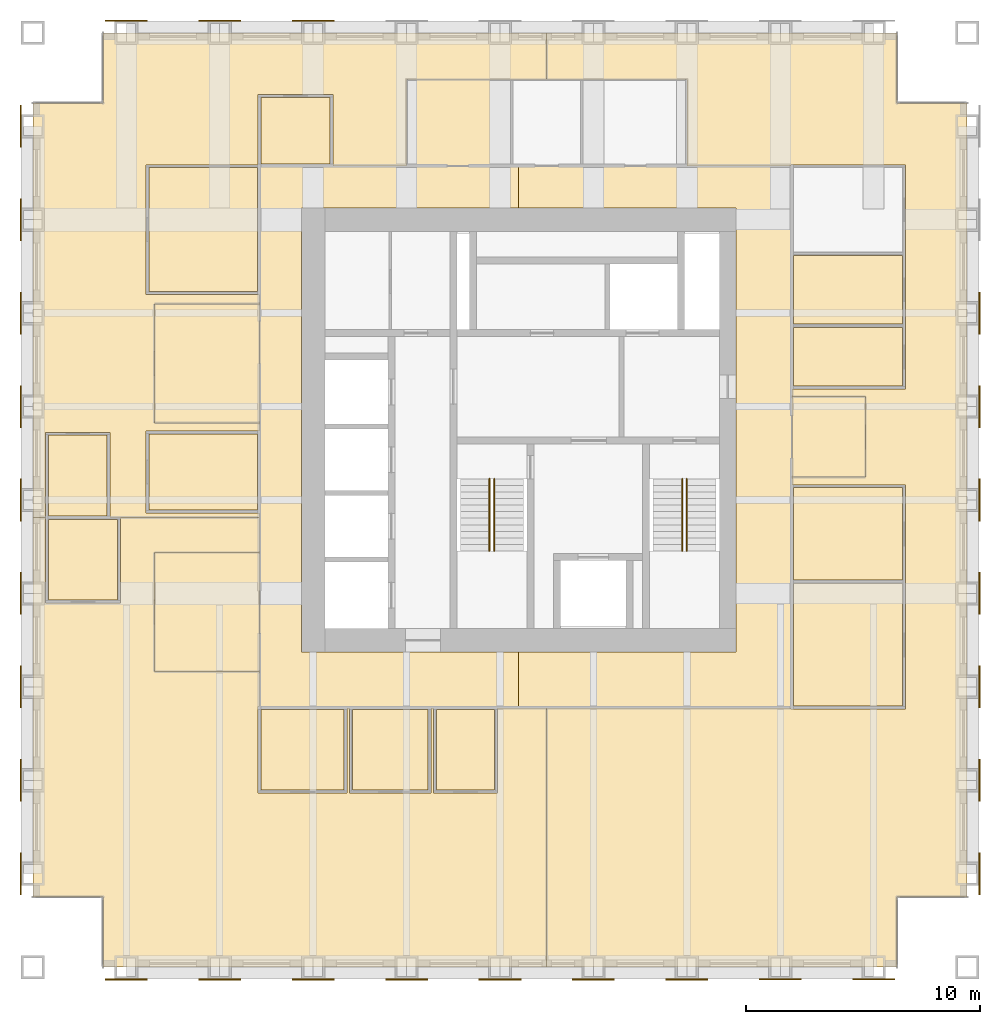
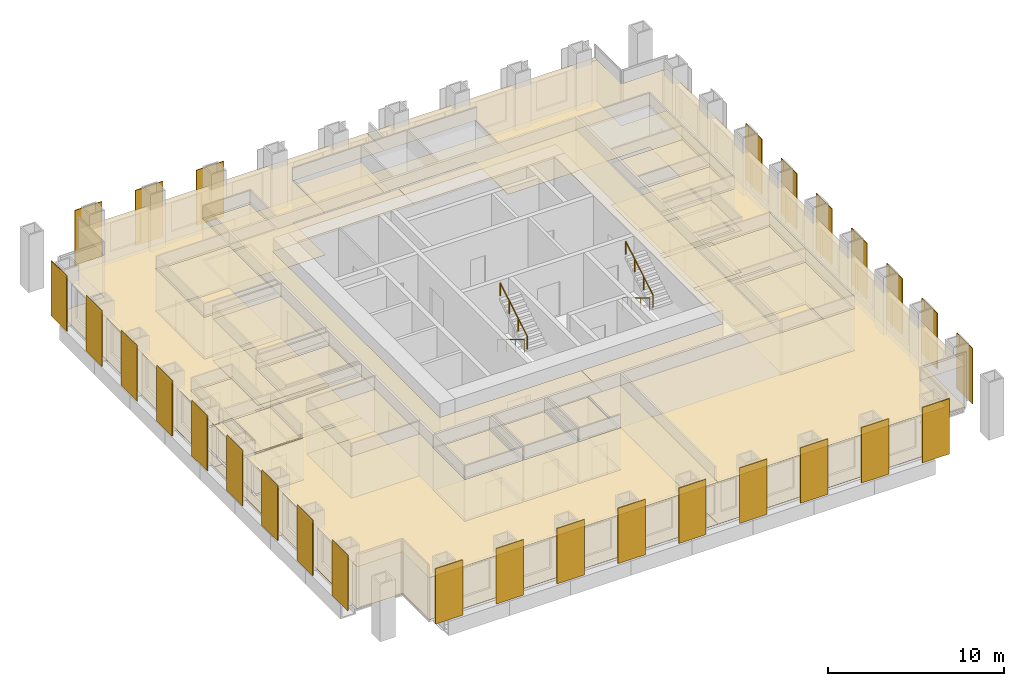
# One storey, part 12 of 13: 39 coverings, 28 shading devices, 4 railings.
"""IFC4 building model written with IfcOpenShell, lengths in metres."""

from ifc_helpers import new_model, si_unit, direction, frame, origin, origin_2d, place, context, subcontext, project, spatial, polyline, rectangle, circle, outline, extrude, material, layer, layer_set, type_object, element, save


model = new_model("IFC4")

# Units and contexts
model_context = context("Model", 3, precision=1e-05, world=origin(), true_north=direction((0.0, 1.0)))
body_context = subcontext(model_context, "Body", "Model", "MODEL_VIEW")
ifc_project = project(units=[si_unit("LENGTHUNIT", "METRE"), si_unit("AREAUNIT", "SQUARE_METRE"), si_unit("VOLUMEUNIT", "CUBIC_METRE"), si_unit("PLANEANGLEUNIT", "RADIAN"), si_unit("MASSUNIT", "GRAM", prefix="KILO")], contexts=[model_context])

# Site, building, storey
site_placement = place(None, origin())
site = spatial("IfcSite", under=ifc_project, at=site_placement, CompositionType="ELEMENT")
building_placement = place(site_placement, origin())
building = spatial("IfcBuilding", under=site, at=building_placement, Name="Rimbunsela Tower", CompositionType="ELEMENT")
storey_placement = place(building_placement, frame((0.0, 0.0, 294.199951171875)))
storey = spatial("IfcBuildingStorey", under=building, at=storey_placement, Name="L71", CompositionType="ELEMENT", Elevation=294.199951171875)

# Coverings
ifc_material_1 = material(Name="Nylon carpet tile", Category="textile")
ifc_layer_1 = layer(ifc_material_1, 0.010009765625)
ifc_layer_set_1 = layer_set([ifc_layer_1], Name="Carpet tile 10")
covering_type_1 = type_object("IfcCoveringType", Name="Carpet tile 10", PredefinedType="FLOORING", material=ifc_layer_set_1)
covering_1_placement = place(storey_placement, origin())
element("IfcCovering", 1, at=covering_1_placement, inside=storey, type_object=covering_type_1, Name="Floor finish Open office", PredefinedType="FLOORING", context=body_context, shape_type="SweptSolid", body=[
    extrude(outline(polyline([(19.449951171875, 15.10009765625), (19.550048828125, 15.10009765625), (19.550048828125, 11.449951171875), (23.050048828125, 11.449951171875), (23.050048828125, 15.10009765625), (23.14990234375, 15.10009765625), (23.14990234375, 11.449951171875), (25.89990234375, 11.449951171875), (25.89990234375, 15.10009765625), (27.9990234375, 15.10009765625), (27.9990234375, 4.0), (15.699951171875, 4.0), (9.0, 4.0), (9.0, 7.0), (6.0, 7.0), (6.0, 23.2490234375), (6.550048828125, 23.2490234375), (6.550048828125, 19.60009765625), (9.75, 19.60009765625), (9.75, 23.2490234375), (15.699951171875, 23.2490234375), (15.699951171875, 21.75), (11.199951171875, 21.75), (11.199951171875, 16.64990234375), (15.699951171875, 16.64990234375), (15.699951171875, 15.14990234375), (15.64990234375, 15.14990234375), (15.64990234375, 11.449951171875), (15.699951171875, 11.449951171875), (19.449951171875, 11.449951171875), (19.449951171875, 15.10009765625)])), origin(), (0.0, 0.0, 1.0), 0.010009765625),
])
covering_2_placement = place(storey_placement, origin())
element("IfcCovering", 2, at=covering_2_placement, inside=storey, type_object=covering_type_1, Name="Floor finish Open office", PredefinedType="FLOORING", context=body_context, shape_type="SweptSolid", body=[
    extrude(outline(polyline([(15.64990234375, 38.35009765625), (10.85009765625, 38.35009765625), (10.85009765625, 32.800048828125), (15.699951171875, 32.800048828125), (15.699951171875, 32.39990234375), (11.199951171875, 32.39990234375), (11.199951171875, 27.300048828125), (15.699951171875, 27.300048828125), (15.699951171875, 26.949951171875), (10.85009765625, 26.949951171875), (10.85009765625, 23.449951171875), (15.699951171875, 23.449951171875), (15.699951171875, 23.2509765625), (9.300048828125, 23.2509765625), (9.300048828125, 26.89990234375), (6.550048828125, 26.89990234375), (6.550048828125, 23.2509765625), (6.0, 23.2509765625), (6.0, 41.0), (9.0, 41.0), (9.0, 44.0), (15.699951171875, 44.0), (27.9990234375, 44.0), (27.9990234375, 42.0), (22.0, 42.0), (22.0, 38.300048828125), (18.85009765625, 38.300048828125), (18.85009765625, 41.35009765625), (15.699951171875, 41.35009765625), (15.64990234375, 41.35009765625), (15.64990234375, 38.35009765625)])), origin(), (0.0, 0.0, 1.0), 0.010009765625),
])
covering_3_placement = place(storey_placement, origin())
element("IfcCovering", 3, at=covering_3_placement, inside=storey, type_object=covering_type_1, Name="Floor finish Open office", PredefinedType="FLOORING", context=body_context, shape_type="SweptSolid", body=[
    extrude(outline(polyline([(28.0009765625, 15.10009765625), (38.449951171875, 15.10009765625), (38.449951171875, 15.050048828125), (38.5, 15.050048828125), (43.35009765625, 15.050048828125), (43.35009765625, 20.449951171875), (43.35009765625, 20.550048828125), (43.35009765625, 24.64990234375), (38.5, 24.64990234375), (38.5, 24.97509765625), (41.64990234375, 24.97509765625), (41.64990234375, 28.425048828125), (38.5, 28.425048828125), (38.5, 28.75), (43.35009765625, 28.75), (43.35009765625, 31.39990234375), (43.35009765625, 31.5), (43.35009765625, 34.5), (43.35009765625, 34.60009765625), (43.35009765625, 38.35009765625), (38.5, 38.35009765625), (38.449951171875, 38.35009765625), (38.449951171875, 38.300048828125), (34.0, 38.300048828125), (34.0, 42.0), (28.0009765625, 42.0), (28.0009765625, 44.0), (38.5, 44.0), (43.0, 44.0), (43.0, 41.0), (46.0, 41.0), (46.0, 7.0), (43.0, 7.0), (43.0, 4.0), (38.5, 4.0), (28.0009765625, 4.0), (28.0009765625, 15.10009765625)])), origin(), (0.0, 0.0, 1.0), 0.010009765625),
])
covering_4_placement = place(storey_placement, origin())
element("IfcCovering", 4, at=covering_4_placement, inside=storey, type_object=covering_type_1, Name="Floor finish Reception", PredefinedType="FLOORING", context=body_context, shape_type="SweptSolid", body=[
    extrude(outline(polyline([(15.699951171875, 16.64990234375), (15.699951171875, 21.75), (11.199951171875, 21.75), (11.199951171875, 16.64990234375), (15.699951171875, 16.64990234375)])), origin(), (0.0, 0.0, 1.0), 0.010009765625),
])
covering_5_placement = place(storey_placement, origin())
element("IfcCovering", 5, at=covering_5_placement, inside=storey, type_object=covering_type_1, Name="Floor finish Reception", PredefinedType="FLOORING", context=body_context, shape_type="SweptSolid", body=[
    extrude(outline(polyline([(15.699951171875, 27.300048828125), (15.699951171875, 32.39990234375), (11.199951171875, 32.39990234375), (11.199951171875, 27.300048828125), (15.699951171875, 27.300048828125)])), origin(), (0.0, 0.0, 1.0), 0.010009765625),
])
covering_6_placement = place(storey_placement, origin())
element("IfcCovering", 6, at=covering_6_placement, inside=storey, type_object=covering_type_1, Name="Floor finish Reception", PredefinedType="FLOORING", context=body_context, shape_type="SweptSolid", body=[
    extrude(outline(polyline([(41.64990234375, 24.97509765625), (41.64990234375, 28.425048828125), (38.5, 28.425048828125), (38.5, 24.97509765625), (41.64990234375, 24.97509765625)])), origin(), (0.0, 0.0, 1.0), 0.010009765625),
])
covering_7_placement = place(storey_placement, origin())
element("IfcCovering", 7, at=covering_7_placement, inside=storey, type_object=covering_type_1, Name="Floor finish Meeting room", PredefinedType="FLOORING", context=body_context, shape_type="SweptSolid", body=[
    extrude(outline(polyline([(15.625, 32.925048828125), (15.625, 38.22509765625), (10.97509765625, 38.22509765625), (10.97509765625, 32.925048828125), (15.625, 32.925048828125)])), origin(), (0.0, 0.0, 1.0), 0.010009765625),
])
covering_8_placement = place(storey_placement, origin())
element("IfcCovering", 8, at=covering_8_placement, inside=storey, type_object=covering_type_1, Name="Floor finish Meeting room", PredefinedType="FLOORING", context=body_context, shape_type="SweptSolid", body=[
    extrude(outline(polyline([(43.22509765625, 15.175048828125), (43.22509765625, 20.425048828125), (38.574951171875, 20.425048828125), (38.574951171875, 15.175048828125), (43.22509765625, 15.175048828125)])), origin(), (0.0, 0.0, 1.0), 0.010009765625),
])
covering_9_placement = place(storey_placement, origin())
element("IfcCovering", 9, at=covering_9_placement, inside=storey, type_object=covering_type_1, Name="Floor finish Pantry", PredefinedType="FLOORING", context=body_context, shape_type="SweptSolid", body=[
    extrude(outline(polyline([(43.22509765625, 20.574951171875), (43.22509765625, 24.52490234375), (38.574951171875, 24.52490234375), (38.574951171875, 20.574951171875), (43.22509765625, 20.574951171875)])), origin(), (0.0, 0.0, 1.0), 0.010009765625),
])
covering_10_placement = place(storey_placement, origin())
element("IfcCovering", 10, at=covering_10_placement, inside=storey, type_object=covering_type_1, Name="Floor finish Print and copy room", PredefinedType="FLOORING", context=body_context, shape_type="SweptSolid", body=[
    extrude(outline(polyline([(43.22509765625, 28.875), (43.22509765625, 31.375), (38.574951171875, 31.375), (38.574951171875, 28.875), (43.22509765625, 28.875)])), origin(), (0.0, 0.0, 1.0), 0.010009765625),
])
covering_11_placement = place(storey_placement, origin())
element("IfcCovering", 11, at=covering_11_placement, inside=storey, type_object=covering_type_1, Name="Floor finish Office", PredefinedType="FLOORING", context=body_context, shape_type="SweptSolid", body=[
    extrude(outline(polyline([(43.22509765625, 31.52490234375), (43.22509765625, 34.47509765625), (38.574951171875, 34.47509765625), (38.574951171875, 31.52490234375), (43.22509765625, 31.52490234375)])), origin(), (0.0, 0.0, 1.0), 0.010009765625),
])
covering_12_placement = place(storey_placement, origin())
element("IfcCovering", 12, at=covering_12_placement, inside=storey, type_object=covering_type_1, Name="Floor finish Meeting room", PredefinedType="FLOORING", context=body_context, shape_type="SweptSolid", body=[
    extrude(outline(polyline([(19.324951171875, 11.574951171875), (19.324951171875, 15.02490234375), (15.77490234375, 15.02490234375), (15.77490234375, 11.574951171875), (19.324951171875, 11.574951171875)])), origin(), (0.0, 0.0, 1.0), 0.010009765625),
])
covering_13_placement = place(storey_placement, origin())
element("IfcCovering", 13, at=covering_13_placement, inside=storey, type_object=covering_type_1, Name="Floor finish Pantry", PredefinedType="FLOORING", context=body_context, shape_type="SweptSolid", body=[
    extrude(outline(polyline([(22.925048828125, 11.574951171875), (22.925048828125, 15.02490234375), (19.675048828125, 15.02490234375), (19.675048828125, 11.574951171875), (22.925048828125, 11.574951171875)])), origin(), (0.0, 0.0, 1.0), 0.010009765625),
])
covering_14_placement = place(storey_placement, origin())
element("IfcCovering", 14, at=covering_14_placement, inside=storey, type_object=covering_type_1, Name="Floor finish Print and copy room", PredefinedType="FLOORING", context=body_context, shape_type="SweptSolid", body=[
    extrude(outline(polyline([(25.77490234375, 11.574951171875), (25.77490234375, 15.02490234375), (23.27490234375, 15.02490234375), (23.27490234375, 11.574951171875), (25.77490234375, 11.574951171875)])), origin(), (0.0, 0.0, 1.0), 0.010009765625),
])
covering_15_placement = place(storey_placement, origin())
element("IfcCovering", 15, at=covering_15_placement, inside=storey, type_object=covering_type_1, Name="Floor finish Office", PredefinedType="FLOORING", context=body_context, shape_type="SweptSolid", body=[
    extrude(outline(polyline([(9.625, 19.72509765625), (9.625, 23.175048828125), (6.675048828125, 23.175048828125), (6.675048828125, 19.72509765625), (9.625, 19.72509765625)])), origin(), (0.0, 0.0, 1.0), 0.010009765625),
])
covering_16_placement = place(storey_placement, origin())
element("IfcCovering", 16, at=covering_16_placement, inside=storey, type_object=covering_type_1, Name="Floor finish Pantry", PredefinedType="FLOORING", context=body_context, shape_type="SweptSolid", body=[
    extrude(outline(polyline([(15.625, 23.574951171875), (15.625, 26.824951171875), (10.97509765625, 26.824951171875), (10.97509765625, 23.574951171875), (15.625, 23.574951171875)])), origin(), (0.0, 0.0, 1.0), 0.010009765625),
])
covering_17_placement = place(storey_placement, origin())
element("IfcCovering", 17, at=covering_17_placement, inside=storey, type_object=covering_type_1, Name="Floor finish Print and copy room", PredefinedType="FLOORING", context=body_context, shape_type="SweptSolid", body=[
    extrude(outline(polyline([(9.175048828125, 23.324951171875), (9.175048828125, 26.77490234375), (6.675048828125, 26.77490234375), (6.675048828125, 23.324951171875), (9.175048828125, 23.324951171875)])), origin(), (0.0, 0.0, 1.0), 0.010009765625),
])
covering_18_placement = place(storey_placement, origin())
element("IfcCovering", 18, at=covering_18_placement, inside=storey, type_object=covering_type_1, Name="Floor finish Office", PredefinedType="FLOORING", context=body_context, shape_type="SweptSolid", body=[
    extrude(outline(polyline([(18.72509765625, 38.375), (18.72509765625, 41.22509765625), (15.77490234375, 41.22509765625), (15.77490234375, 38.375), (18.72509765625, 38.375)])), origin(), (0.0, 0.0, 1.0), 0.010009765625),
])
ifc_material_2 = material(Name="Mineral fibre ceiling tile", Category="gypsum")
ifc_layer_2 = layer(ifc_material_2, 0.02001953125)
ifc_layer_set_2 = layer_set([ifc_layer_2], Name="Ceiling 600 grid")
covering_type_2 = type_object("IfcCoveringType", Name="Ceiling 600 grid", PredefinedType="CEILING", material=ifc_layer_set_2)
covering_19_placement = place(storey_placement, frame((0.0, 0.0, 2.900146484375)))
element("IfcCovering", 19, at=covering_19_placement, inside=storey, type_object=covering_type_2, Name="Ceiling Ring corridor", PredefinedType="CEILING", context=body_context, shape_type="SweptSolid", body=[
    extrude(outline(polyline([(15.699951171875, 38.300048828125), (26.800048828125, 38.300048828125), (26.800048828125, 36.5), (17.5, 36.5), (17.5, 17.5), (26.800048828125, 17.5), (26.800048828125, 15.10009765625), (15.699951171875, 15.10009765625), (15.699951171875, 38.300048828125)])), origin(), (0.0, 0.0, 1.0), 0.02001953125),
])
covering_20_placement = place(storey_placement, frame((0.0, 0.0, 2.900146484375)))
element("IfcCovering", 20, at=covering_20_placement, inside=storey, type_object=covering_type_2, Name="Ceiling Ring corridor", PredefinedType="CEILING", context=body_context, shape_type="SweptSolid", body=[
    extrude(outline(polyline([(38.5, 38.300048828125), (38.5, 15.10009765625), (26.800048828125, 15.10009765625), (26.800048828125, 17.5), (36.10009765625, 17.5), (36.10009765625, 36.5), (26.800048828125, 36.5), (26.800048828125, 38.300048828125), (38.5, 38.300048828125)])), origin(), (0.0, 0.0, 1.0), 0.02001953125),
])
covering_21_placement = place(storey_placement, frame((0.0, 0.0, 2.900146484375)))
element("IfcCovering", 21, at=covering_21_placement, inside=storey, type_object=covering_type_2, Name="Ceiling Open office", PredefinedType="CEILING", context=body_context, shape_type="SweptSolid", body=[
    extrude(outline(polyline([(19.449951171875, 15.10009765625), (19.550048828125, 15.10009765625), (19.550048828125, 11.449951171875), (23.050048828125, 11.449951171875), (23.050048828125, 15.10009765625), (23.14990234375, 15.10009765625), (23.14990234375, 11.449951171875), (25.89990234375, 11.449951171875), (25.89990234375, 15.10009765625), (27.9990234375, 15.10009765625), (27.9990234375, 4.0), (15.699951171875, 4.0), (9.0, 4.0), (9.0, 7.0), (6.0, 7.0), (6.0, 23.2490234375), (6.550048828125, 23.2490234375), (6.550048828125, 19.60009765625), (9.75, 19.60009765625), (9.75, 23.2490234375), (15.699951171875, 23.2490234375), (15.699951171875, 21.75), (11.199951171875, 21.75), (11.199951171875, 16.64990234375), (15.699951171875, 16.64990234375), (15.699951171875, 15.14990234375), (15.64990234375, 15.14990234375), (15.64990234375, 11.449951171875), (15.699951171875, 11.449951171875), (19.449951171875, 11.449951171875), (19.449951171875, 15.10009765625)])), origin(), (0.0, 0.0, 1.0), 0.02001953125),
])
covering_22_placement = place(storey_placement, frame((0.0, 0.0, 2.900146484375)))
element("IfcCovering", 22, at=covering_22_placement, inside=storey, type_object=covering_type_2, Name="Ceiling Open office", PredefinedType="CEILING", context=body_context, shape_type="SweptSolid", body=[
    extrude(outline(polyline([(15.64990234375, 38.35009765625), (10.85009765625, 38.35009765625), (10.85009765625, 32.800048828125), (15.699951171875, 32.800048828125), (15.699951171875, 32.39990234375), (11.199951171875, 32.39990234375), (11.199951171875, 27.300048828125), (15.699951171875, 27.300048828125), (15.699951171875, 26.949951171875), (10.85009765625, 26.949951171875), (10.85009765625, 23.449951171875), (15.699951171875, 23.449951171875), (15.699951171875, 23.2509765625), (9.300048828125, 23.2509765625), (9.300048828125, 26.89990234375), (6.550048828125, 26.89990234375), (6.550048828125, 23.2509765625), (6.0, 23.2509765625), (6.0, 41.0), (9.0, 41.0), (9.0, 44.0), (15.699951171875, 44.0), (27.9990234375, 44.0), (27.9990234375, 42.0), (22.0, 42.0), (22.0, 38.300048828125), (18.85009765625, 38.300048828125), (18.85009765625, 41.35009765625), (15.699951171875, 41.35009765625), (15.64990234375, 41.35009765625), (15.64990234375, 38.35009765625)])), origin(), (0.0, 0.0, 1.0), 0.02001953125),
])
covering_23_placement = place(storey_placement, frame((0.0, 0.0, 2.900146484375)))
element("IfcCovering", 23, at=covering_23_placement, inside=storey, type_object=covering_type_2, Name="Ceiling Open office", PredefinedType="CEILING", context=body_context, shape_type="SweptSolid", body=[
    extrude(outline(polyline([(28.0009765625, 15.10009765625), (38.449951171875, 15.10009765625), (38.449951171875, 15.050048828125), (38.5, 15.050048828125), (43.35009765625, 15.050048828125), (43.35009765625, 20.449951171875), (43.35009765625, 20.550048828125), (43.35009765625, 24.64990234375), (38.5, 24.64990234375), (38.5, 24.97509765625), (41.64990234375, 24.97509765625), (41.64990234375, 28.425048828125), (38.5, 28.425048828125), (38.5, 28.75), (43.35009765625, 28.75), (43.35009765625, 31.39990234375), (43.35009765625, 31.5), (43.35009765625, 34.5), (43.35009765625, 34.60009765625), (43.35009765625, 38.35009765625), (38.5, 38.35009765625), (38.449951171875, 38.35009765625), (38.449951171875, 38.300048828125), (34.0, 38.300048828125), (34.0, 42.0), (28.0009765625, 42.0), (28.0009765625, 44.0), (38.5, 44.0), (43.0, 44.0), (43.0, 41.0), (46.0, 41.0), (46.0, 7.0), (43.0, 7.0), (43.0, 4.0), (38.5, 4.0), (28.0009765625, 4.0), (28.0009765625, 15.10009765625)])), origin(), (0.0, 0.0, 1.0), 0.02001953125),
])
covering_24_placement = place(storey_placement, frame((0.0, 0.0, 2.900146484375)))
element("IfcCovering", 24, at=covering_24_placement, inside=storey, type_object=covering_type_2, Name="Ceiling Reception", PredefinedType="CEILING", context=body_context, shape_type="SweptSolid", body=[
    extrude(outline(polyline([(15.699951171875, 16.64990234375), (15.699951171875, 21.75), (11.199951171875, 21.75), (11.199951171875, 16.64990234375), (15.699951171875, 16.64990234375)])), origin(), (0.0, 0.0, 1.0), 0.02001953125),
])
covering_25_placement = place(storey_placement, frame((0.0, 0.0, 2.900146484375)))
element("IfcCovering", 25, at=covering_25_placement, inside=storey, type_object=covering_type_2, Name="Ceiling Reception", PredefinedType="CEILING", context=body_context, shape_type="SweptSolid", body=[
    extrude(outline(polyline([(15.699951171875, 27.300048828125), (15.699951171875, 32.39990234375), (11.199951171875, 32.39990234375), (11.199951171875, 27.300048828125), (15.699951171875, 27.300048828125)])), origin(), (0.0, 0.0, 1.0), 0.02001953125),
])
covering_26_placement = place(storey_placement, frame((0.0, 0.0, 2.900146484375)))
element("IfcCovering", 26, at=covering_26_placement, inside=storey, type_object=covering_type_2, Name="Ceiling Reception", PredefinedType="CEILING", context=body_context, shape_type="SweptSolid", body=[
    extrude(outline(polyline([(41.64990234375, 24.97509765625), (41.64990234375, 28.425048828125), (38.5, 28.425048828125), (38.5, 24.97509765625), (41.64990234375, 24.97509765625)])), origin(), (0.0, 0.0, 1.0), 0.02001953125),
])
covering_27_placement = place(storey_placement, frame((0.0, 0.0, 2.900146484375)))
element("IfcCovering", 27, at=covering_27_placement, inside=storey, type_object=covering_type_2, Name="Ceiling Meeting room", PredefinedType="CEILING", context=body_context, shape_type="SweptSolid", body=[
    extrude(outline(polyline([(15.625, 32.925048828125), (15.625, 38.22509765625), (10.97509765625, 38.22509765625), (10.97509765625, 32.925048828125), (15.625, 32.925048828125)])), origin(), (0.0, 0.0, 1.0), 0.02001953125),
])
covering_28_placement = place(storey_placement, frame((0.0, 0.0, 2.900146484375)))
element("IfcCovering", 28, at=covering_28_placement, inside=storey, type_object=covering_type_2, Name="Ceiling Meeting room", PredefinedType="CEILING", context=body_context, shape_type="SweptSolid", body=[
    extrude(outline(polyline([(43.22509765625, 15.175048828125), (43.22509765625, 20.425048828125), (38.574951171875, 20.425048828125), (38.574951171875, 15.175048828125), (43.22509765625, 15.175048828125)])), origin(), (0.0, 0.0, 1.0), 0.02001953125),
])
covering_29_placement = place(storey_placement, frame((0.0, 0.0, 2.900146484375)))
element("IfcCovering", 29, at=covering_29_placement, inside=storey, type_object=covering_type_2, Name="Ceiling Pantry", PredefinedType="CEILING", context=body_context, shape_type="SweptSolid", body=[
    extrude(outline(polyline([(43.22509765625, 20.574951171875), (43.22509765625, 24.52490234375), (38.574951171875, 24.52490234375), (38.574951171875, 20.574951171875), (43.22509765625, 20.574951171875)])), origin(), (0.0, 0.0, 1.0), 0.02001953125),
])
covering_30_placement = place(storey_placement, frame((0.0, 0.0, 2.900146484375)))
element("IfcCovering", 30, at=covering_30_placement, inside=storey, type_object=covering_type_2, Name="Ceiling Print and copy room", PredefinedType="CEILING", context=body_context, shape_type="SweptSolid", body=[
    extrude(outline(polyline([(43.22509765625, 28.875), (43.22509765625, 31.375), (38.574951171875, 31.375), (38.574951171875, 28.875), (43.22509765625, 28.875)])), origin(), (0.0, 0.0, 1.0), 0.02001953125),
])
covering_31_placement = place(storey_placement, frame((0.0, 0.0, 2.900146484375)))
element("IfcCovering", 31, at=covering_31_placement, inside=storey, type_object=covering_type_2, Name="Ceiling Office", PredefinedType="CEILING", context=body_context, shape_type="SweptSolid", body=[
    extrude(outline(polyline([(43.22509765625, 31.52490234375), (43.22509765625, 34.47509765625), (38.574951171875, 34.47509765625), (38.574951171875, 31.52490234375), (43.22509765625, 31.52490234375)])), origin(), (0.0, 0.0, 1.0), 0.02001953125),
])
covering_32_placement = place(storey_placement, frame((0.0, 0.0, 2.900146484375)))
element("IfcCovering", 32, at=covering_32_placement, inside=storey, type_object=covering_type_2, Name="Ceiling Meeting room", PredefinedType="CEILING", context=body_context, shape_type="SweptSolid", body=[
    extrude(outline(polyline([(19.324951171875, 11.574951171875), (19.324951171875, 15.02490234375), (15.77490234375, 15.02490234375), (15.77490234375, 11.574951171875), (19.324951171875, 11.574951171875)])), origin(), (0.0, 0.0, 1.0), 0.02001953125),
])
covering_33_placement = place(storey_placement, frame((0.0, 0.0, 2.900146484375)))
element("IfcCovering", 33, at=covering_33_placement, inside=storey, type_object=covering_type_2, Name="Ceiling Pantry", PredefinedType="CEILING", context=body_context, shape_type="SweptSolid", body=[
    extrude(outline(polyline([(22.925048828125, 11.574951171875), (22.925048828125, 15.02490234375), (19.675048828125, 15.02490234375), (19.675048828125, 11.574951171875), (22.925048828125, 11.574951171875)])), origin(), (0.0, 0.0, 1.0), 0.02001953125),
])
covering_34_placement = place(storey_placement, frame((0.0, 0.0, 2.900146484375)))
element("IfcCovering", 34, at=covering_34_placement, inside=storey, type_object=covering_type_2, Name="Ceiling Print and copy room", PredefinedType="CEILING", context=body_context, shape_type="SweptSolid", body=[
    extrude(outline(polyline([(25.77490234375, 11.574951171875), (25.77490234375, 15.02490234375), (23.27490234375, 15.02490234375), (23.27490234375, 11.574951171875), (25.77490234375, 11.574951171875)])), origin(), (0.0, 0.0, 1.0), 0.02001953125),
])
covering_35_placement = place(storey_placement, frame((0.0, 0.0, 2.900146484375)))
element("IfcCovering", 35, at=covering_35_placement, inside=storey, type_object=covering_type_2, Name="Ceiling Office", PredefinedType="CEILING", context=body_context, shape_type="SweptSolid", body=[
    extrude(outline(polyline([(9.625, 19.72509765625), (9.625, 23.175048828125), (6.675048828125, 23.175048828125), (6.675048828125, 19.72509765625), (9.625, 19.72509765625)])), origin(), (0.0, 0.0, 1.0), 0.02001953125),
])
covering_36_placement = place(storey_placement, frame((0.0, 0.0, 2.900146484375)))
element("IfcCovering", 36, at=covering_36_placement, inside=storey, type_object=covering_type_2, Name="Ceiling Pantry", PredefinedType="CEILING", context=body_context, shape_type="SweptSolid", body=[
    extrude(outline(polyline([(15.625, 23.574951171875), (15.625, 26.824951171875), (10.97509765625, 26.824951171875), (10.97509765625, 23.574951171875), (15.625, 23.574951171875)])), origin(), (0.0, 0.0, 1.0), 0.02001953125),
])
covering_37_placement = place(storey_placement, frame((0.0, 0.0, 2.900146484375)))
element("IfcCovering", 37, at=covering_37_placement, inside=storey, type_object=covering_type_2, Name="Ceiling Print and copy room", PredefinedType="CEILING", context=body_context, shape_type="SweptSolid", body=[
    extrude(outline(polyline([(9.175048828125, 23.324951171875), (9.175048828125, 26.77490234375), (6.675048828125, 26.77490234375), (6.675048828125, 23.324951171875), (9.175048828125, 23.324951171875)])), origin(), (0.0, 0.0, 1.0), 0.02001953125),
])
covering_38_placement = place(storey_placement, frame((0.0, 0.0, 2.900146484375)))
element("IfcCovering", 38, at=covering_38_placement, inside=storey, type_object=covering_type_2, Name="Ceiling Office", PredefinedType="CEILING", context=body_context, shape_type="SweptSolid", body=[
    extrude(outline(polyline([(18.72509765625, 38.375), (18.72509765625, 41.22509765625), (15.77490234375, 41.22509765625), (15.77490234375, 38.375), (18.72509765625, 38.375)])), origin(), (0.0, 0.0, 1.0), 0.02001953125),
])
ifc_material_3 = material(Name="Moisture-resistant plasterboard ceiling", Category="gypsum")
ifc_layer_3 = layer(ifc_material_3, 0.012451171875)
ifc_layer_set_3 = layer_set([ifc_layer_3], Name="Ceiling moisture-resistant board")
covering_type_3 = type_object("IfcCoveringType", Name="Ceiling moisture-resistant board", PredefinedType="CEILING", material=ifc_layer_set_3)
covering_39_placement = place(storey_placement, frame((0.0, 0.0, 2.60009765625)))
element("IfcCovering", 39, at=covering_39_placement, inside=storey, type_object=covering_type_3, Name="Ceiling Female WC", PredefinedType="CEILING", context=body_context, shape_type="SweptSolid", body=[
    extrude(outline(polyline([(26.5, 38.300048828125), (26.5, 42.0), (22.0, 42.0), (22.0, 38.300048828125), (26.5, 38.300048828125)])), origin(), (0.0, 0.0, 1.0), 0.02001953125),
])

# Shading devices
ifc_material_4 = material(Name="Perforated aluminium, 35 % open area", Category="aluminium")
ifc_layer_4 = layer(ifc_material_4, 0.050048828125)
ifc_layer_set_4 = layer_set([ifc_layer_4], Name="Solar screen panel 1800")
shading_device_type = type_object("IfcShadingDeviceType", Name="Solar screen panel 1800", PredefinedType="USERDEFINED", material=ifc_layer_set_4)
for number, where, z_axis, x_axis, name in (
    (40, (10.0, 3.47509765625, 0.0), (0.0, 0.0, 1.0), (1.0, 0.0, 0.0), "Solar screen S L71"),
    (41, (14.0, 3.47509765625, 0.0), (0.0, 0.0, 1.0), (1.0, 0.0, 0.0), "Solar screen S L71"),
    (42, (18.0, 3.47509765625, 0.0), (0.0, 0.0, 1.0), (1.0, 0.0, 0.0), "Solar screen S L71"),
    (43, (22.0, 3.47509765625, 0.0), (0.0, 0.0, 1.0), (1.0, 0.0, 0.0), "Solar screen S L71"),
    (44, (26.0, 3.47509765625, 0.0), (0.0, 0.0, 1.0), (1.0, 0.0, 0.0), "Solar screen S L71"),
    (45, (30.0, 3.47509765625, 0.0), (0.0, 0.0, 1.0), (1.0, 0.0, 0.0), "Solar screen S L71"),
    (46, (34.0, 3.47509765625, 0.0), (0.0, 0.0, 1.0), (1.0, 0.0, 0.0), "Solar screen S L71"),
    (47, (38.0, 3.47509765625, 0.0), (0.0, 0.0, 1.0), (1.0, 0.0, 0.0), "Solar screen S L71"),
    (48, (42.0, 3.47509765625, 0.0), (0.0, 0.0, 1.0), (1.0, 0.0, 0.0), "Solar screen S L71"),
    (49, (46.52490234375, 8.0, 0.0), (0.0, 0.0, 1.0), (0.0, 1.0, 0.0), "Solar screen E L71"),
    (50, (46.52490234375, 12.0, 0.0), (0.0, 0.0, 1.0), (0.0, 1.0, 0.0), "Solar screen E L71"),
    (51, (46.52490234375, 16.0, 0.0), (0.0, 0.0, 1.0), (0.0, 1.0, 0.0), "Solar screen E L71"),
    (52, (46.52490234375, 20.0, 0.0), (0.0, 0.0, 1.0), (0.0, 1.0, 0.0), "Solar screen E L71"),
    (53, (46.52490234375, 24.0, 0.0), (0.0, 0.0, 1.0), (0.0, 1.0, 0.0), "Solar screen E L71"),
    (54, (46.52490234375, 28.0, 0.0), (0.0, 0.0, 1.0), (0.0, 1.0, 0.0), "Solar screen E L71"),
    (55, (46.52490234375, 32.0, 0.0), (0.0, 0.0, 1.0), (0.0, 1.0, 0.0), "Solar screen E L71"),
    (56, (10.0, 44.52490234375, 0.0), (0.0, 0.0, 1.0), (1.0, 0.0, 0.0), "Solar screen N L71"),
    (57, (14.0, 44.52490234375, 0.0), (0.0, 0.0, 1.0), (1.0, 0.0, 0.0), "Solar screen N L71"),
    (58, (18.0, 44.52490234375, 0.0), (0.0, 0.0, 1.0), (1.0, 0.0, 0.0), "Solar screen N L71"),
    (59, (5.47509765625, 8.0, 0.0), (0.0, 0.0, 1.0), (0.0, 1.0, 0.0), "Solar screen W L71"),
    (60, (5.47509765625, 12.0, 0.0), (0.0, 0.0, 1.0), (0.0, 1.0, 0.0), "Solar screen W L71"),
    (61, (5.47509765625, 16.0, 0.0), (0.0, 0.0, 1.0), (0.0, 1.0, 0.0), "Solar screen W L71"),
    (62, (5.47509765625, 20.0, 0.0), (0.0, 0.0, 1.0), (0.0, 1.0, 0.0), "Solar screen W L71"),
    (63, (5.47509765625, 24.0, 0.0), (0.0, 0.0, 1.0), (0.0, 1.0, 0.0), "Solar screen W L71"),
    (64, (5.47509765625, 28.0, 0.0), (0.0, 0.0, 1.0), (0.0, 1.0, 0.0), "Solar screen W L71"),
    (65, (5.47509765625, 32.0, 0.0), (0.0, 0.0, 1.0), (0.0, 1.0, 0.0), "Solar screen W L71"),
    (66, (5.47509765625, 36.0, 0.0), (0.0, 0.0, 1.0), (0.0, 1.0, 0.0), "Solar screen W L71"),
    (67, (5.47509765625, 40.0, 0.0), (0.0, 0.0, 1.0), (0.0, 1.0, 0.0), "Solar screen W L71"),
):
    element("IfcShadingDevice", number, at=place(storey_placement, frame(where, z_axis=z_axis, x_axis=x_axis)), inside=storey, type_object=shading_device_type, Name=name, ObjectType="SCREEN", PredefinedType="USERDEFINED", context=body_context, shape_type="SweptSolid", body=[
        extrude(rectangle(XDim=1.800048828125, YDim=0.050048828125, at=origin_2d()), origin(), (0.0, 0.0, 1.0), 3.85009765625),
    ])

# Railings
ifc_material_5 = material(Name="Stainless steel tube", Category="steel")
railing_type = type_object("IfcRailingType", Name="Stair handrail 900", PredefinedType="HANDRAIL", material=ifc_material_5)
railing_1_placement = place(storey_placement, frame((25.550048828125, 24.89990234375, 0.166748046875)))
element("IfcRailing", 68, at=railing_1_placement, inside=storey, type_object=railing_type, Name="Handrail ST-A flight 1", PredefinedType="HANDRAIL", context=body_context, shape_type="SweptSolid", body=[
    extrude(circle(Radius=0.02392578125, at=origin_2d()), frame((0.0, 0.0, 0.8759765625), z_axis=(0.0, -0.859290745958, 0.51148745235), x_axis=(1.0, 0.0, 0.0)), (0.0, 0.0, 1.0), 3.584228515625),
    extrude(circle(Radius=0.02099609375, at=origin_2d()), origin(), (0.0, 0.0, 1.0), 0.851806640625),
    extrude(circle(Radius=0.02099609375, at=origin_2d()), frame((0.0, -1.026611328125, 0.611083984375)), (0.0, 0.0, 1.0), 0.851806640625),
    extrude(circle(Radius=0.02099609375, at=origin_2d()), frame((0.0, -2.05322265625, 1.22216796875)), (0.0, 0.0, 1.0), 0.851806640625),
    extrude(circle(Radius=0.02099609375, at=origin_2d()), frame((0.0, -3.079833984375, 1.833251953125)), (0.0, 0.0, 1.0), 0.851806640625),
])
railing_2_placement = place(storey_placement, frame((25.75, 21.820068359375, 2.166748046875)))
element("IfcRailing", 69, at=railing_2_placement, inside=storey, type_object=railing_type, Name="Handrail ST-A flight 2", PredefinedType="HANDRAIL", context=body_context, shape_type="SweptSolid", body=[
    extrude(circle(Radius=0.02392578125, at=origin_2d()), frame((0.0, 0.0, 0.8759765625), z_axis=(0.0, 0.859290745958, 0.51148745235), x_axis=(-1.0, 0.0, 0.0)), (0.0, 0.0, 1.0), 3.584228515625),
    extrude(circle(Radius=0.02099609375, at=origin_2d()), origin(), (0.0, 0.0, 1.0), 0.851806640625),
    extrude(circle(Radius=0.02099609375, at=origin_2d()), frame((0.0, 1.026611328125, 0.611083984375)), (0.0, 0.0, 1.0), 0.851806640625),
    extrude(circle(Radius=0.02099609375, at=origin_2d()), frame((0.0, 2.05322265625, 1.22216796875)), (0.0, 0.0, 1.0), 0.851806640625),
    extrude(circle(Radius=0.02099609375, at=origin_2d()), frame((0.0, 3.079833984375, 1.833251953125)), (0.0, 0.0, 1.0), 0.851806640625),
])
railing_3_placement = place(storey_placement, frame((33.800048828125, 24.89990234375, 0.166748046875)))
element("IfcRailing", 70, at=railing_3_placement, inside=storey, type_object=railing_type, Name="Handrail ST-B flight 1", PredefinedType="HANDRAIL", context=body_context, shape_type="SweptSolid", body=[
    extrude(circle(Radius=0.02392578125, at=origin_2d()), frame((0.0, 0.0, 0.8759765625), z_axis=(0.0, -0.859290745958, 0.51148745235), x_axis=(1.0, 0.0, 0.0)), (0.0, 0.0, 1.0), 3.584228515625),
    extrude(circle(Radius=0.02099609375, at=origin_2d()), origin(), (0.0, 0.0, 1.0), 0.851806640625),
    extrude(circle(Radius=0.02099609375, at=origin_2d()), frame((0.0, -1.026611328125, 0.611083984375)), (0.0, 0.0, 1.0), 0.851806640625),
    extrude(circle(Radius=0.02099609375, at=origin_2d()), frame((0.0, -2.05322265625, 1.22216796875)), (0.0, 0.0, 1.0), 0.851806640625),
    extrude(circle(Radius=0.02099609375, at=origin_2d()), frame((0.0, -3.079833984375, 1.833251953125)), (0.0, 0.0, 1.0), 0.851806640625),
])
railing_4_placement = place(storey_placement, frame((34.0, 21.820068359375, 2.166748046875)))
element("IfcRailing", 71, at=railing_4_placement, inside=storey, type_object=railing_type, Name="Handrail ST-B flight 2", PredefinedType="HANDRAIL", context=body_context, shape_type="SweptSolid", body=[
    extrude(circle(Radius=0.02392578125, at=origin_2d()), frame((0.0, 0.0, 0.8759765625), z_axis=(0.0, 0.859290745958, 0.51148745235), x_axis=(-1.0, 0.0, 0.0)), (0.0, 0.0, 1.0), 3.584228515625),
    extrude(circle(Radius=0.02099609375, at=origin_2d()), origin(), (0.0, 0.0, 1.0), 0.851806640625),
    extrude(circle(Radius=0.02099609375, at=origin_2d()), frame((0.0, 1.026611328125, 0.611083984375)), (0.0, 0.0, 1.0), 0.851806640625),
    extrude(circle(Radius=0.02099609375, at=origin_2d()), frame((0.0, 2.05322265625, 1.22216796875)), (0.0, 0.0, 1.0), 0.851806640625),
    extrude(circle(Radius=0.02099609375, at=origin_2d()), frame((0.0, 3.079833984375, 1.833251953125)), (0.0, 0.0, 1.0), 0.851806640625),
])

save(model, "model.ifc")
